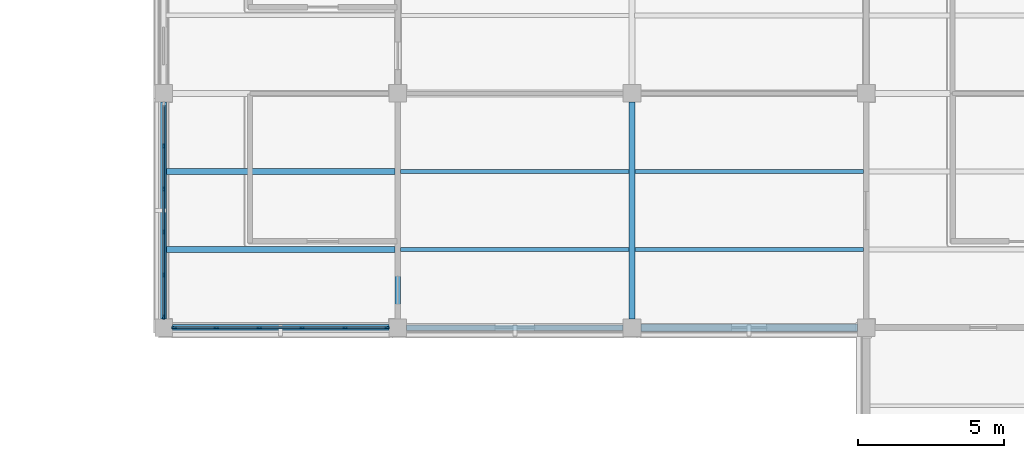
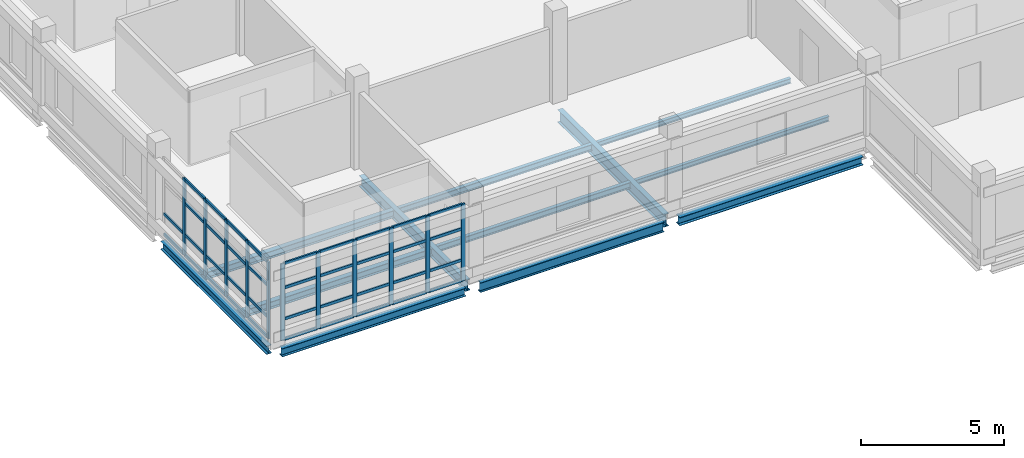
# One storey, part 45 of 126: 49 members, 12 beams, 2 elements without a shape of their own.
"""IFC4 building model written with IfcOpenShell, lengths in metres."""

from ifc_helpers import new_model, si_unit, derived_unit, direction, frame, origin, origin_2d, place, context, subcontext, project, spatial, rectangle, i_section, extrude, material, layer, layer_set, material_profile, profile_set, type_object, element, aggregate, save


model = new_model("IFC4")

# Units and contexts
model_context = context("Model", 3, precision=1e-05, world=origin(), true_north=direction((0.0, 1.0)))
body_context = subcontext(model_context, "Body", "Model", "MODEL_VIEW")
ifc_project = project(units=[si_unit("LENGTHUNIT", "METRE"), si_unit("AREAUNIT", "SQUARE_METRE"), si_unit("VOLUMEUNIT", "CUBIC_METRE"), si_unit("PLANEANGLEUNIT", "RADIAN"), si_unit("MASSUNIT", "GRAM", prefix="KILO"), derived_unit("THERMALTRANSMITTANCEUNIT", [(si_unit("MASSUNIT", "GRAM", prefix="KILO"), 1), (si_unit("TIMEUNIT", "SECOND"), -3), (si_unit("THERMODYNAMICTEMPERATUREUNIT", "KELVIN"), -1)])], contexts=[model_context])

# Site, building, storey
site_placement = place(None, origin())
site = spatial("IfcSite", under=ifc_project, at=site_placement, CompositionType="ELEMENT")
building_placement = place(site_placement, origin())
building = spatial("IfcBuilding", under=site, at=building_placement, Name="Veyamyaing Civic Hall", CompositionType="ELEMENT")
storey_placement = place(building_placement, frame((0.0, 0.0, 9.89990234375)))
storey = spatial("IfcBuildingStorey", under=building, at=storey_placement, Name="L02", CompositionType="ELEMENT", Elevation=9.89990234375)

# Beams
ifc_material_1 = material(Name="Steel ASTM A992", Category="steel")
ifc_material_profile_1 = material_profile(ifc_material_1, i_section(OverallWidth=0.208984375, OverallDepth=0.532958984375, WebThickness=0.01025390625, FlangeThickness=0.015625, FilletRadius=0.011962890625, at=origin_2d()), Name="W530X92")
ifc_profile_set_1 = profile_set([ifc_material_profile_1], Name="Steel ASTM A992")
beam_type_1 = type_object("IfcBeamType", Name="B-07", PredefinedType="BEAM", material=ifc_profile_set_1)
beam_1_placement = place(storey_placement, frame((152.0, 8.300048828125, -0.551513671875), z_axis=(0.0, 1.0, 0.0), x_axis=(-1.0, 0.0, 0.0)))
element("IfcBeam", 1, at=beam_1_placement, inside=storey, type_object=beam_type_1, Name="Girder B-07 L02 Grid 20 B-C", PredefinedType="BEAM", context=body_context, shape_type="SweptSolid", body=[
    extrude(i_section(OverallWidth=0.208984375, OverallDepth=0.532958984375, WebThickness=0.01025390625, FlangeThickness=0.015625, FilletRadius=0.011962890625, at=origin_2d()), origin(), (0.0, 0.0, 1.0), 7.39990234375),
])
ifc_material_profile_2 = material_profile(ifc_material_1, i_section(OverallWidth=0.2041015625, OverallDepth=0.35009765625, WebThickness=0.0078125, FlangeThickness=0.01513671875, FilletRadius=0.010009765625, at=origin_2d()), Name="W360X72")
ifc_profile_set_2 = profile_set([ifc_material_profile_2], Name="Steel ASTM A992")
beam_type_2 = type_object("IfcBeamType", Name="B-11", PredefinedType="SPANDREL", material=ifc_profile_set_2)
for number, where, z_axis, x_axis, name in (
    (2, (136.300048828125, 8.0, -0.4599609375), (1.0, 0.0, 0.0), (0.0, 1.0, 0.0), "Girder B-11 L02 Grid B 18-19"),
    (3, (136.0, 8.300048828125, -0.4599609375), (0.0, 1.0, 0.0), (-1.0, 0.0, 0.0), "Girder B-11 L02 Grid 18 B-C"),
):
    element("IfcBeam", number, at=place(storey_placement, frame(where, z_axis=z_axis, x_axis=x_axis)), inside=storey, type_object=beam_type_2, Name=name, PredefinedType="SPANDREL", context=body_context, shape_type="SweptSolid", body=[
        extrude(i_section(OverallWidth=0.2041015625, OverallDepth=0.35009765625, WebThickness=0.0078125, FlangeThickness=0.01513671875, FilletRadius=0.010009765625, at=origin_2d()), origin(), (0.0, 0.0, 1.0), 7.39990234375),
    ])
ifc_material_profile_3 = material_profile(ifc_material_1, i_section(OverallWidth=0.194091796875, OverallDepth=0.468994140625, WebThickness=0.0126953125, FlangeThickness=0.0205078125, FilletRadius=0.010009765625, at=origin_2d()), Name="W460X106")
ifc_profile_set_3 = profile_set([ifc_material_profile_3], Name="Steel ASTM A992")
beam_type_3 = type_object("IfcBeamType", Name="B-18", PredefinedType="BEAM", material=ifc_profile_set_3)
beam_2_placement = place(storey_placement, frame((144.0, 8.300048828125, -0.519287109375), z_axis=(0.0, 1.0, 0.0), x_axis=(-1.0, 0.0, 0.0)))
element("IfcBeam", 4, at=beam_2_placement, inside=storey, type_object=beam_type_3, Name="Girder B-18 L02 Grid 19 B-C", PredefinedType="BEAM", context=body_context, shape_type="SweptSolid", body=[
    extrude(i_section(OverallWidth=0.194091796875, OverallDepth=0.468994140625, WebThickness=0.0126953125, FlangeThickness=0.0205078125, FilletRadius=0.010009765625, at=origin_2d()), origin(), (0.0, 0.0, 1.0), 7.39990234375),
])
ifc_material_profile_4 = material_profile(ifc_material_1, i_section(OverallWidth=0.180908203125, OverallDepth=0.4169921875, WebThickness=0.010986328125, FlangeThickness=0.018310546875, FilletRadius=0.010009765625, at=origin_2d()), Name="W410X85")
ifc_profile_set_4 = profile_set([ifc_material_profile_4], Name="Steel ASTM A992")
beam_type_4 = type_object("IfcBeamType", Name="B-19", PredefinedType="SPANDREL", material=ifc_profile_set_4)
beam_3_placement = place(storey_placement, frame((144.300048828125, 8.0, -0.493408203125), z_axis=(1.0, 0.0, 0.0), x_axis=(0.0, 1.0, 0.0)))
element("IfcBeam", 5, at=beam_3_placement, inside=storey, type_object=beam_type_4, Name="Girder B-19 L02 Grid B 19-20", PredefinedType="SPANDREL", context=body_context, shape_type="SweptSolid", body=[
    extrude(i_section(OverallWidth=0.180908203125, OverallDepth=0.4169921875, WebThickness=0.010986328125, FlangeThickness=0.018310546875, FilletRadius=0.010009765625, at=origin_2d()), origin(), (0.0, 0.0, 1.0), 7.39990234375),
])
ifc_material_profile_5 = material_profile(ifc_material_1, i_section(OverallWidth=0.25390625, OverallDepth=0.35302734375, WebThickness=0.009521484375, FlangeThickness=0.016357421875, FilletRadius=0.011962890625, at=origin_2d()), Name="W360X91")
ifc_profile_set_5 = profile_set([ifc_material_profile_5], Name="Steel ASTM A992")
beam_type_5 = type_object("IfcBeamType", Name="B-20", PredefinedType="SPANDREL", material=ifc_profile_set_5)
beam_4_placement = place(storey_placement, frame((152.300048828125, 8.0, -0.46142578125), z_axis=(1.0, 0.0, 0.0), x_axis=(0.0, 1.0, 0.0)))
element("IfcBeam", 6, at=beam_4_placement, inside=storey, type_object=beam_type_5, Name="Girder B-20 L02 Grid B 20-21", PredefinedType="SPANDREL", context=body_context, shape_type="SweptSolid", body=[
    extrude(i_section(OverallWidth=0.25390625, OverallDepth=0.35302734375, WebThickness=0.009521484375, FlangeThickness=0.016357421875, FilletRadius=0.011962890625, at=origin_2d()), origin(), (0.0, 0.0, 1.0), 7.39990234375),
])

# Curtain wall, members
ifc_material_2 = material(Name="Anodised aluminium 6063-T6", Category="aluminium")
ifc_layer = layer(ifc_material_2, 0.159912109375, Name="Anodised aluminium 6063-T6")
ifc_layer_set = layer_set([ifc_layer], Name="Anodised aluminium 6063-T6")
curtain_wall_type = type_object("IfcCurtainWallType", Name="CW-03", PredefinedType="NOTDEFINED", material=ifc_layer_set)
curtain_wall_1_placement = place(storey_placement, origin())
curtain_wall_1 = element("IfcCurtainWall", 7, at=curtain_wall_1_placement, inside=storey, type_object=curtain_wall_type, Name="Unitized curtain wall CW-03 L02 S 18.2", PredefinedType="NOTDEFINED")
ifc_material_profile_6 = material_profile(ifc_material_2, rectangle(XDim=0.06494140625, YDim=0.159912109375, at=origin_2d()), Name="ALU-MUL-65X160")
ifc_profile_set_6 = profile_set([ifc_material_profile_6], Name="Anodised aluminium 6063-T6")
member_type_1 = type_object("IfcMemberType", Name="CWM-01", PredefinedType="MULLION", material=ifc_profile_set_6)
member_1_placement = place(storey_placement, frame((136.362548828125, 8.0, 0.0), z_axis=(0.0, 0.0, 1.0), x_axis=(0.0, 1.0, 0.0)))
member_1 = element("IfcMember", 8, at=member_1_placement, type_object=member_type_1, Name="CW-03 mullion 1", PredefinedType="MULLION", context=body_context, shape_type="SweptSolid", body=[
    extrude(rectangle(XDim=0.06494140625, YDim=0.159912109375, at=origin_2d()), origin(), (0.0, 0.0, 1.0), 3.280029296875),
])
member_2_placement = place(storey_placement, frame((137.798095703125, 8.0, 0.0), z_axis=(0.0, 0.0, 1.0), x_axis=(0.0, 1.0, 0.0)))
member_2 = element("IfcMember", 9, at=member_2_placement, type_object=member_type_1, Name="CW-03 mullion 2", PredefinedType="MULLION", context=body_context, shape_type="SweptSolid", body=[
    extrude(rectangle(XDim=0.06494140625, YDim=0.159912109375, at=origin_2d()), origin(), (0.0, 0.0, 1.0), 3.280029296875),
])
member_3_placement = place(storey_placement, frame((139.26611328125, 8.0, 0.0), z_axis=(0.0, 0.0, 1.0), x_axis=(0.0, 1.0, 0.0)))
member_3 = element("IfcMember", 10, at=member_3_placement, type_object=member_type_1, Name="CW-03 mullion 3", PredefinedType="MULLION", context=body_context, shape_type="SweptSolid", body=[
    extrude(rectangle(XDim=0.06494140625, YDim=0.159912109375, at=origin_2d()), origin(), (0.0, 0.0, 1.0), 3.280029296875),
])
member_4_placement = place(storey_placement, frame((140.73388671875, 8.0, 0.0), z_axis=(0.0, 0.0, 1.0), x_axis=(0.0, 1.0, 0.0)))
member_4 = element("IfcMember", 11, at=member_4_placement, type_object=member_type_1, Name="CW-03 mullion 4", PredefinedType="MULLION", context=body_context, shape_type="SweptSolid", body=[
    extrude(rectangle(XDim=0.06494140625, YDim=0.159912109375, at=origin_2d()), origin(), (0.0, 0.0, 1.0), 3.280029296875),
])
member_5_placement = place(storey_placement, frame((142.201904296875, 8.0, 0.0), z_axis=(0.0, 0.0, 1.0), x_axis=(0.0, 1.0, 0.0)))
member_5 = element("IfcMember", 12, at=member_5_placement, type_object=member_type_1, Name="CW-03 mullion 5", PredefinedType="MULLION", context=body_context, shape_type="SweptSolid", body=[
    extrude(rectangle(XDim=0.06494140625, YDim=0.159912109375, at=origin_2d()), origin(), (0.0, 0.0, 1.0), 3.280029296875),
])
member_6_placement = place(storey_placement, frame((143.637451171875, 8.0, 0.0), z_axis=(0.0, 0.0, 1.0), x_axis=(0.0, 1.0, 0.0)))
member_6 = element("IfcMember", 13, at=member_6_placement, type_object=member_type_1, Name="CW-03 mullion 6", PredefinedType="MULLION", context=body_context, shape_type="SweptSolid", body=[
    extrude(rectangle(XDim=0.06494140625, YDim=0.159912109375, at=origin_2d()), origin(), (0.0, 0.0, 1.0), 3.280029296875),
])

curtain_wall_2_placement = place(storey_placement, origin())
curtain_wall_2 = element("IfcCurtainWall", 14, at=curtain_wall_2_placement, inside=storey, type_object=curtain_wall_type, Name="Unitized curtain wall CW-03 L02 W 18.2", PredefinedType="NOTDEFINED")
member_7_placement = place(storey_placement, frame((136.0, 8.362548828125, 0.0), z_axis=(0.0, 0.0, 1.0), x_axis=(-1.0, 0.0, 0.0)))
member_7 = element("IfcMember", 15, at=member_7_placement, type_object=member_type_1, Name="CW-03 mullion 1", PredefinedType="MULLION", context=body_context, shape_type="SweptSolid", body=[
    extrude(rectangle(XDim=0.06494140625, YDim=0.159912109375, at=origin_2d()), origin(), (0.0, 0.0, 1.0), 3.280029296875),
])
member_8_placement = place(storey_placement, frame((136.0, 9.798095703125, 0.0), z_axis=(0.0, 0.0, 1.0), x_axis=(-1.0, 0.0, 0.0)))
member_8 = element("IfcMember", 16, at=member_8_placement, type_object=member_type_1, Name="CW-03 mullion 2", PredefinedType="MULLION", context=body_context, shape_type="SweptSolid", body=[
    extrude(rectangle(XDim=0.06494140625, YDim=0.159912109375, at=origin_2d()), origin(), (0.0, 0.0, 1.0), 3.280029296875),
])
member_9_placement = place(storey_placement, frame((136.0, 11.26611328125, 0.0), z_axis=(0.0, 0.0, 1.0), x_axis=(-1.0, 0.0, 0.0)))
member_9 = element("IfcMember", 17, at=member_9_placement, type_object=member_type_1, Name="CW-03 mullion 3", PredefinedType="MULLION", context=body_context, shape_type="SweptSolid", body=[
    extrude(rectangle(XDim=0.06494140625, YDim=0.159912109375, at=origin_2d()), origin(), (0.0, 0.0, 1.0), 3.280029296875),
])
member_10_placement = place(storey_placement, frame((136.0, 12.73388671875, 0.0), z_axis=(0.0, 0.0, 1.0), x_axis=(-1.0, 0.0, 0.0)))
member_10 = element("IfcMember", 18, at=member_10_placement, type_object=member_type_1, Name="CW-03 mullion 4", PredefinedType="MULLION", context=body_context, shape_type="SweptSolid", body=[
    extrude(rectangle(XDim=0.06494140625, YDim=0.159912109375, at=origin_2d()), origin(), (0.0, 0.0, 1.0), 3.280029296875),
])
member_11_placement = place(storey_placement, frame((136.0, 14.201904296875, 0.0), z_axis=(0.0, 0.0, 1.0), x_axis=(-1.0, 0.0, 0.0)))
member_11 = element("IfcMember", 19, at=member_11_placement, type_object=member_type_1, Name="CW-03 mullion 5", PredefinedType="MULLION", context=body_context, shape_type="SweptSolid", body=[
    extrude(rectangle(XDim=0.06494140625, YDim=0.159912109375, at=origin_2d()), origin(), (0.0, 0.0, 1.0), 3.280029296875),
])

# Member
ifc_material_profile_7 = material_profile(ifc_material_2, rectangle(XDim=0.06494140625, YDim=0.1201171875, at=origin_2d()), Name="ALU-TRN-65X120")
ifc_profile_set_7 = profile_set([ifc_material_profile_7], Name="Anodised aluminium 6063-T6")
member_type_2 = type_object("IfcMemberType", Name="CWT-01", PredefinedType="USERDEFINED", material=ifc_profile_set_7)
member_12_placement = place(storey_placement, frame((136.39501953125, 8.0, 0.03271484375), z_axis=(1.0, 0.0, 0.0), x_axis=(0.0, 1.0, 0.0)))
member_12 = element("IfcMember", 20, at=member_12_placement, type_object=member_type_2, Name="CW-03 transom 1.1", ObjectType="TRANSOM", PredefinedType="USERDEFINED", context=body_context, shape_type="SweptSolid", body=[
    extrude(rectangle(XDim=0.06494140625, YDim=0.1201171875, at=origin_2d()), origin(), (0.0, 0.0, 1.0), 1.370361328125),
])

member_13_placement = place(storey_placement, frame((136.39501953125, 8.0, 0.900146484375), z_axis=(1.0, 0.0, 0.0), x_axis=(0.0, 1.0, 0.0)))
member_13 = element("IfcMember", 21, at=member_13_placement, type_object=member_type_2, Name="CW-03 transom 1.2", ObjectType="TRANSOM", PredefinedType="USERDEFINED", context=body_context, shape_type="SweptSolid", body=[
    extrude(rectangle(XDim=0.06494140625, YDim=0.1201171875, at=origin_2d()), origin(), (0.0, 0.0, 1.0), 1.370361328125),
])

member_14_placement = place(storey_placement, frame((136.39501953125, 8.0, 2.23046875), z_axis=(1.0, 0.0, 0.0), x_axis=(0.0, 1.0, 0.0)))
member_14 = element("IfcMember", 22, at=member_14_placement, type_object=member_type_2, Name="CW-03 transom 1.3", ObjectType="TRANSOM", PredefinedType="USERDEFINED", context=body_context, shape_type="SweptSolid", body=[
    extrude(rectangle(XDim=0.06494140625, YDim=0.1201171875, at=origin_2d()), origin(), (0.0, 0.0, 1.0), 1.370361328125),
])

member_15_placement = place(storey_placement, frame((136.39501953125, 8.0, 3.24755859375), z_axis=(1.0, 0.0, 0.0), x_axis=(0.0, 1.0, 0.0)))
member_15 = element("IfcMember", 23, at=member_15_placement, type_object=member_type_2, Name="CW-03 transom 1.4", ObjectType="TRANSOM", PredefinedType="USERDEFINED", context=body_context, shape_type="SweptSolid", body=[
    extrude(rectangle(XDim=0.06494140625, YDim=0.1201171875, at=origin_2d()), origin(), (0.0, 0.0, 1.0), 1.370361328125),
])

member_16_placement = place(storey_placement, frame((137.83056640625, 8.0, 0.03271484375), z_axis=(1.0, 0.0, 0.0), x_axis=(0.0, 1.0, 0.0)))
member_16 = element("IfcMember", 24, at=member_16_placement, type_object=member_type_2, Name="CW-03 transom 2.1", ObjectType="TRANSOM", PredefinedType="USERDEFINED", context=body_context, shape_type="SweptSolid", body=[
    extrude(rectangle(XDim=0.06494140625, YDim=0.1201171875, at=origin_2d()), origin(), (0.0, 0.0, 1.0), 1.40283203125),
])

member_17_placement = place(storey_placement, frame((137.83056640625, 8.0, 0.900146484375), z_axis=(1.0, 0.0, 0.0), x_axis=(0.0, 1.0, 0.0)))
member_17 = element("IfcMember", 25, at=member_17_placement, type_object=member_type_2, Name="CW-03 transom 2.2", ObjectType="TRANSOM", PredefinedType="USERDEFINED", context=body_context, shape_type="SweptSolid", body=[
    extrude(rectangle(XDim=0.06494140625, YDim=0.1201171875, at=origin_2d()), origin(), (0.0, 0.0, 1.0), 1.40283203125),
])

member_18_placement = place(storey_placement, frame((137.83056640625, 8.0, 2.23046875), z_axis=(1.0, 0.0, 0.0), x_axis=(0.0, 1.0, 0.0)))
member_18 = element("IfcMember", 26, at=member_18_placement, type_object=member_type_2, Name="CW-03 transom 2.3", ObjectType="TRANSOM", PredefinedType="USERDEFINED", context=body_context, shape_type="SweptSolid", body=[
    extrude(rectangle(XDim=0.06494140625, YDim=0.1201171875, at=origin_2d()), origin(), (0.0, 0.0, 1.0), 1.40283203125),
])

member_19_placement = place(storey_placement, frame((137.83056640625, 8.0, 3.24755859375), z_axis=(1.0, 0.0, 0.0), x_axis=(0.0, 1.0, 0.0)))
member_19 = element("IfcMember", 27, at=member_19_placement, type_object=member_type_2, Name="CW-03 transom 2.4", ObjectType="TRANSOM", PredefinedType="USERDEFINED", context=body_context, shape_type="SweptSolid", body=[
    extrude(rectangle(XDim=0.06494140625, YDim=0.1201171875, at=origin_2d()), origin(), (0.0, 0.0, 1.0), 1.40283203125),
])

member_20_placement = place(storey_placement, frame((139.298583984375, 8.0, 0.03271484375), z_axis=(1.0, 0.0, 0.0), x_axis=(0.0, 1.0, 0.0)))
member_20 = element("IfcMember", 28, at=member_20_placement, type_object=member_type_2, Name="CW-03 transom 3.1", ObjectType="TRANSOM", PredefinedType="USERDEFINED", context=body_context, shape_type="SweptSolid", body=[
    extrude(rectangle(XDim=0.06494140625, YDim=0.1201171875, at=origin_2d()), origin(), (0.0, 0.0, 1.0), 1.40283203125),
])

member_21_placement = place(storey_placement, frame((139.298583984375, 8.0, 0.900146484375), z_axis=(1.0, 0.0, 0.0), x_axis=(0.0, 1.0, 0.0)))
member_21 = element("IfcMember", 29, at=member_21_placement, type_object=member_type_2, Name="CW-03 transom 3.2", ObjectType="TRANSOM", PredefinedType="USERDEFINED", context=body_context, shape_type="SweptSolid", body=[
    extrude(rectangle(XDim=0.06494140625, YDim=0.1201171875, at=origin_2d()), origin(), (0.0, 0.0, 1.0), 1.40283203125),
])

member_22_placement = place(storey_placement, frame((139.298583984375, 8.0, 2.23046875), z_axis=(1.0, 0.0, 0.0), x_axis=(0.0, 1.0, 0.0)))
member_22 = element("IfcMember", 30, at=member_22_placement, type_object=member_type_2, Name="CW-03 transom 3.3", ObjectType="TRANSOM", PredefinedType="USERDEFINED", context=body_context, shape_type="SweptSolid", body=[
    extrude(rectangle(XDim=0.06494140625, YDim=0.1201171875, at=origin_2d()), origin(), (0.0, 0.0, 1.0), 1.40283203125),
])

member_23_placement = place(storey_placement, frame((139.298583984375, 8.0, 3.24755859375), z_axis=(1.0, 0.0, 0.0), x_axis=(0.0, 1.0, 0.0)))
member_23 = element("IfcMember", 31, at=member_23_placement, type_object=member_type_2, Name="CW-03 transom 3.4", ObjectType="TRANSOM", PredefinedType="USERDEFINED", context=body_context, shape_type="SweptSolid", body=[
    extrude(rectangle(XDim=0.06494140625, YDim=0.1201171875, at=origin_2d()), origin(), (0.0, 0.0, 1.0), 1.40283203125),
])

member_24_placement = place(storey_placement, frame((140.7666015625, 8.0, 0.03271484375), z_axis=(1.0, 0.0, 0.0), x_axis=(0.0, 1.0, 0.0)))
member_24 = element("IfcMember", 32, at=member_24_placement, type_object=member_type_2, Name="CW-03 transom 4.1", ObjectType="TRANSOM", PredefinedType="USERDEFINED", context=body_context, shape_type="SweptSolid", body=[
    extrude(rectangle(XDim=0.06494140625, YDim=0.1201171875, at=origin_2d()), origin(), (0.0, 0.0, 1.0), 1.40283203125),
])

member_25_placement = place(storey_placement, frame((140.7666015625, 8.0, 0.900146484375), z_axis=(1.0, 0.0, 0.0), x_axis=(0.0, 1.0, 0.0)))
member_25 = element("IfcMember", 33, at=member_25_placement, type_object=member_type_2, Name="CW-03 transom 4.2", ObjectType="TRANSOM", PredefinedType="USERDEFINED", context=body_context, shape_type="SweptSolid", body=[
    extrude(rectangle(XDim=0.06494140625, YDim=0.1201171875, at=origin_2d()), origin(), (0.0, 0.0, 1.0), 1.40283203125),
])

member_26_placement = place(storey_placement, frame((140.7666015625, 8.0, 2.23046875), z_axis=(1.0, 0.0, 0.0), x_axis=(0.0, 1.0, 0.0)))
member_26 = element("IfcMember", 34, at=member_26_placement, type_object=member_type_2, Name="CW-03 transom 4.3", ObjectType="TRANSOM", PredefinedType="USERDEFINED", context=body_context, shape_type="SweptSolid", body=[
    extrude(rectangle(XDim=0.06494140625, YDim=0.1201171875, at=origin_2d()), origin(), (0.0, 0.0, 1.0), 1.40283203125),
])

member_27_placement = place(storey_placement, frame((140.7666015625, 8.0, 3.24755859375), z_axis=(1.0, 0.0, 0.0), x_axis=(0.0, 1.0, 0.0)))
member_27 = element("IfcMember", 35, at=member_27_placement, type_object=member_type_2, Name="CW-03 transom 4.4", ObjectType="TRANSOM", PredefinedType="USERDEFINED", context=body_context, shape_type="SweptSolid", body=[
    extrude(rectangle(XDim=0.06494140625, YDim=0.1201171875, at=origin_2d()), origin(), (0.0, 0.0, 1.0), 1.40283203125),
])

member_28_placement = place(storey_placement, frame((142.234619140625, 8.0, 0.03271484375), z_axis=(1.0, 0.0, 0.0), x_axis=(0.0, 1.0, 0.0)))
member_28 = element("IfcMember", 36, at=member_28_placement, type_object=member_type_2, Name="CW-03 transom 5.1", ObjectType="TRANSOM", PredefinedType="USERDEFINED", context=body_context, shape_type="SweptSolid", body=[
    extrude(rectangle(XDim=0.06494140625, YDim=0.1201171875, at=origin_2d()), origin(), (0.0, 0.0, 1.0), 1.370361328125),
])

member_29_placement = place(storey_placement, frame((142.234619140625, 8.0, 0.900146484375), z_axis=(1.0, 0.0, 0.0), x_axis=(0.0, 1.0, 0.0)))
member_29 = element("IfcMember", 37, at=member_29_placement, type_object=member_type_2, Name="CW-03 transom 5.2", ObjectType="TRANSOM", PredefinedType="USERDEFINED", context=body_context, shape_type="SweptSolid", body=[
    extrude(rectangle(XDim=0.06494140625, YDim=0.1201171875, at=origin_2d()), origin(), (0.0, 0.0, 1.0), 1.370361328125),
])

member_30_placement = place(storey_placement, frame((142.234619140625, 8.0, 2.23046875), z_axis=(1.0, 0.0, 0.0), x_axis=(0.0, 1.0, 0.0)))
member_30 = element("IfcMember", 38, at=member_30_placement, type_object=member_type_2, Name="CW-03 transom 5.3", ObjectType="TRANSOM", PredefinedType="USERDEFINED", context=body_context, shape_type="SweptSolid", body=[
    extrude(rectangle(XDim=0.06494140625, YDim=0.1201171875, at=origin_2d()), origin(), (0.0, 0.0, 1.0), 1.370361328125),
])

member_31_placement = place(storey_placement, frame((142.234619140625, 8.0, 3.24755859375), z_axis=(1.0, 0.0, 0.0), x_axis=(0.0, 1.0, 0.0)))
member_31 = element("IfcMember", 39, at=member_31_placement, type_object=member_type_2, Name="CW-03 transom 5.4", ObjectType="TRANSOM", PredefinedType="USERDEFINED", context=body_context, shape_type="SweptSolid", body=[
    extrude(rectangle(XDim=0.06494140625, YDim=0.1201171875, at=origin_2d()), origin(), (0.0, 0.0, 1.0), 1.370361328125),
])

aggregate(curtain_wall_1, [member_1, member_2, member_3, member_4, member_5, member_6, member_12, member_13, member_14, member_15, member_16, member_17, member_18, member_19, member_20, member_21, member_22, member_23, member_24, member_25, member_26, member_27, member_28, member_29, member_30, member_31])

member_32_placement = place(storey_placement, frame((136.0, 8.39501953125, 0.03271484375), z_axis=(0.0, 1.0, 0.0), x_axis=(-1.0, 0.0, 0.0)))
member_32 = element("IfcMember", 40, at=member_32_placement, type_object=member_type_2, Name="CW-03 transom 1.1", ObjectType="TRANSOM", PredefinedType="USERDEFINED", context=body_context, shape_type="SweptSolid", body=[
    extrude(rectangle(XDim=0.06494140625, YDim=0.1201171875, at=origin_2d()), origin(), (0.0, 0.0, 1.0), 1.370361328125),
])

member_33_placement = place(storey_placement, frame((136.0, 8.39501953125, 0.900146484375), z_axis=(0.0, 1.0, 0.0), x_axis=(-1.0, 0.0, 0.0)))
member_33 = element("IfcMember", 41, at=member_33_placement, type_object=member_type_2, Name="CW-03 transom 1.2", ObjectType="TRANSOM", PredefinedType="USERDEFINED", context=body_context, shape_type="SweptSolid", body=[
    extrude(rectangle(XDim=0.06494140625, YDim=0.1201171875, at=origin_2d()), origin(), (0.0, 0.0, 1.0), 1.370361328125),
])

member_34_placement = place(storey_placement, frame((136.0, 8.39501953125, 2.23046875), z_axis=(0.0, 1.0, 0.0), x_axis=(-1.0, 0.0, 0.0)))
member_34 = element("IfcMember", 42, at=member_34_placement, type_object=member_type_2, Name="CW-03 transom 1.3", ObjectType="TRANSOM", PredefinedType="USERDEFINED", context=body_context, shape_type="SweptSolid", body=[
    extrude(rectangle(XDim=0.06494140625, YDim=0.1201171875, at=origin_2d()), origin(), (0.0, 0.0, 1.0), 1.370361328125),
])

member_35_placement = place(storey_placement, frame((136.0, 8.39501953125, 3.24755859375), z_axis=(0.0, 1.0, 0.0), x_axis=(-1.0, 0.0, 0.0)))
member_35 = element("IfcMember", 43, at=member_35_placement, type_object=member_type_2, Name="CW-03 transom 1.4", ObjectType="TRANSOM", PredefinedType="USERDEFINED", context=body_context, shape_type="SweptSolid", body=[
    extrude(rectangle(XDim=0.06494140625, YDim=0.1201171875, at=origin_2d()), origin(), (0.0, 0.0, 1.0), 1.370361328125),
])

member_36_placement = place(storey_placement, frame((136.0, 9.83056640625, 0.03271484375), z_axis=(0.0, 1.0, 0.0), x_axis=(-1.0, 0.0, 0.0)))
member_36 = element("IfcMember", 44, at=member_36_placement, type_object=member_type_2, Name="CW-03 transom 2.1", ObjectType="TRANSOM", PredefinedType="USERDEFINED", context=body_context, shape_type="SweptSolid", body=[
    extrude(rectangle(XDim=0.06494140625, YDim=0.1201171875, at=origin_2d()), origin(), (0.0, 0.0, 1.0), 1.40283203125),
])

member_37_placement = place(storey_placement, frame((136.0, 9.83056640625, 0.900146484375), z_axis=(0.0, 1.0, 0.0), x_axis=(-1.0, 0.0, 0.0)))
member_37 = element("IfcMember", 45, at=member_37_placement, type_object=member_type_2, Name="CW-03 transom 2.2", ObjectType="TRANSOM", PredefinedType="USERDEFINED", context=body_context, shape_type="SweptSolid", body=[
    extrude(rectangle(XDim=0.06494140625, YDim=0.1201171875, at=origin_2d()), origin(), (0.0, 0.0, 1.0), 1.40283203125),
])

member_38_placement = place(storey_placement, frame((136.0, 9.83056640625, 2.23046875), z_axis=(0.0, 1.0, 0.0), x_axis=(-1.0, 0.0, 0.0)))
member_38 = element("IfcMember", 46, at=member_38_placement, type_object=member_type_2, Name="CW-03 transom 2.3", ObjectType="TRANSOM", PredefinedType="USERDEFINED", context=body_context, shape_type="SweptSolid", body=[
    extrude(rectangle(XDim=0.06494140625, YDim=0.1201171875, at=origin_2d()), origin(), (0.0, 0.0, 1.0), 1.40283203125),
])

member_39_placement = place(storey_placement, frame((136.0, 9.83056640625, 3.24755859375), z_axis=(0.0, 1.0, 0.0), x_axis=(-1.0, 0.0, 0.0)))
member_39 = element("IfcMember", 47, at=member_39_placement, type_object=member_type_2, Name="CW-03 transom 2.4", ObjectType="TRANSOM", PredefinedType="USERDEFINED", context=body_context, shape_type="SweptSolid", body=[
    extrude(rectangle(XDim=0.06494140625, YDim=0.1201171875, at=origin_2d()), origin(), (0.0, 0.0, 1.0), 1.40283203125),
])

member_40_placement = place(storey_placement, frame((136.0, 11.298583984375, 0.03271484375), z_axis=(0.0, 1.0, 0.0), x_axis=(-1.0, 0.0, 0.0)))
member_40 = element("IfcMember", 48, at=member_40_placement, type_object=member_type_2, Name="CW-03 transom 3.1", ObjectType="TRANSOM", PredefinedType="USERDEFINED", context=body_context, shape_type="SweptSolid", body=[
    extrude(rectangle(XDim=0.06494140625, YDim=0.1201171875, at=origin_2d()), origin(), (0.0, 0.0, 1.0), 1.40283203125),
])

member_41_placement = place(storey_placement, frame((136.0, 11.298583984375, 0.900146484375), z_axis=(0.0, 1.0, 0.0), x_axis=(-1.0, 0.0, 0.0)))
member_41 = element("IfcMember", 49, at=member_41_placement, type_object=member_type_2, Name="CW-03 transom 3.2", ObjectType="TRANSOM", PredefinedType="USERDEFINED", context=body_context, shape_type="SweptSolid", body=[
    extrude(rectangle(XDim=0.06494140625, YDim=0.1201171875, at=origin_2d()), origin(), (0.0, 0.0, 1.0), 1.40283203125),
])

member_42_placement = place(storey_placement, frame((136.0, 11.298583984375, 2.23046875), z_axis=(0.0, 1.0, 0.0), x_axis=(-1.0, 0.0, 0.0)))
member_42 = element("IfcMember", 50, at=member_42_placement, type_object=member_type_2, Name="CW-03 transom 3.3", ObjectType="TRANSOM", PredefinedType="USERDEFINED", context=body_context, shape_type="SweptSolid", body=[
    extrude(rectangle(XDim=0.06494140625, YDim=0.1201171875, at=origin_2d()), origin(), (0.0, 0.0, 1.0), 1.40283203125),
])

member_43_placement = place(storey_placement, frame((136.0, 11.298583984375, 3.24755859375), z_axis=(0.0, 1.0, 0.0), x_axis=(-1.0, 0.0, 0.0)))
member_43 = element("IfcMember", 51, at=member_43_placement, type_object=member_type_2, Name="CW-03 transom 3.4", ObjectType="TRANSOM", PredefinedType="USERDEFINED", context=body_context, shape_type="SweptSolid", body=[
    extrude(rectangle(XDim=0.06494140625, YDim=0.1201171875, at=origin_2d()), origin(), (0.0, 0.0, 1.0), 1.40283203125),
])

member_44_placement = place(storey_placement, frame((136.0, 12.7666015625, 0.03271484375), z_axis=(0.0, 1.0, 0.0), x_axis=(-1.0, 0.0, 0.0)))
member_44 = element("IfcMember", 52, at=member_44_placement, type_object=member_type_2, Name="CW-03 transom 4.1", ObjectType="TRANSOM", PredefinedType="USERDEFINED", context=body_context, shape_type="SweptSolid", body=[
    extrude(rectangle(XDim=0.06494140625, YDim=0.1201171875, at=origin_2d()), origin(), (0.0, 0.0, 1.0), 1.40283203125),
])

member_45_placement = place(storey_placement, frame((136.0, 12.7666015625, 0.900146484375), z_axis=(0.0, 1.0, 0.0), x_axis=(-1.0, 0.0, 0.0)))
member_45 = element("IfcMember", 53, at=member_45_placement, type_object=member_type_2, Name="CW-03 transom 4.2", ObjectType="TRANSOM", PredefinedType="USERDEFINED", context=body_context, shape_type="SweptSolid", body=[
    extrude(rectangle(XDim=0.06494140625, YDim=0.1201171875, at=origin_2d()), origin(), (0.0, 0.0, 1.0), 1.40283203125),
])

member_46_placement = place(storey_placement, frame((136.0, 12.7666015625, 2.23046875), z_axis=(0.0, 1.0, 0.0), x_axis=(-1.0, 0.0, 0.0)))
member_46 = element("IfcMember", 54, at=member_46_placement, type_object=member_type_2, Name="CW-03 transom 4.3", ObjectType="TRANSOM", PredefinedType="USERDEFINED", context=body_context, shape_type="SweptSolid", body=[
    extrude(rectangle(XDim=0.06494140625, YDim=0.1201171875, at=origin_2d()), origin(), (0.0, 0.0, 1.0), 1.40283203125),
])

member_47_placement = place(storey_placement, frame((136.0, 12.7666015625, 3.24755859375), z_axis=(0.0, 1.0, 0.0), x_axis=(-1.0, 0.0, 0.0)))
member_47 = element("IfcMember", 55, at=member_47_placement, type_object=member_type_2, Name="CW-03 transom 4.4", ObjectType="TRANSOM", PredefinedType="USERDEFINED", context=body_context, shape_type="SweptSolid", body=[
    extrude(rectangle(XDim=0.06494140625, YDim=0.1201171875, at=origin_2d()), origin(), (0.0, 0.0, 1.0), 1.40283203125),
])

member_48_placement = place(storey_placement, frame((136.0, 14.234619140625, 0.03271484375), z_axis=(0.0, 1.0, 0.0), x_axis=(-1.0, 0.0, 0.0)))
member_48 = element("IfcMember", 56, at=member_48_placement, type_object=member_type_2, Name="CW-03 transom 5.1", ObjectType="TRANSOM", PredefinedType="USERDEFINED", context=body_context, shape_type="SweptSolid", body=[
    extrude(rectangle(XDim=0.06494140625, YDim=0.1201171875, at=origin_2d()), origin(), (0.0, 0.0, 1.0), 1.370361328125),
])

member_49_placement = place(storey_placement, frame((136.0, 14.234619140625, 0.900146484375), z_axis=(0.0, 1.0, 0.0), x_axis=(-1.0, 0.0, 0.0)))
member_49 = element("IfcMember", 57, at=member_49_placement, type_object=member_type_2, Name="CW-03 transom 5.2", ObjectType="TRANSOM", PredefinedType="USERDEFINED", context=body_context, shape_type="SweptSolid", body=[
    extrude(rectangle(XDim=0.06494140625, YDim=0.1201171875, at=origin_2d()), origin(), (0.0, 0.0, 1.0), 1.370361328125),
])

aggregate(curtain_wall_2, [member_7, member_8, member_9, member_10, member_11, member_32, member_33, member_34, member_35, member_36, member_37, member_38, member_39, member_40, member_41, member_42, member_43, member_44, member_45, member_46, member_47, member_48, member_49])

# Beams
ifc_material_profile_8 = material_profile(ifc_material_1, i_section(OverallWidth=0.2041015625, OverallDepth=0.305908203125, WebThickness=0.008544921875, FlangeThickness=0.0146484375, FilletRadius=0.010009765625, at=origin_2d()), Name="W310X67")
ifc_profile_set_8 = profile_set([ifc_material_profile_8], Name="Steel ASTM A992")
beam_type_6 = type_object("IfcBeamType", Name="J-06", PredefinedType="JOIST", material=ifc_profile_set_8)
for number, where, z_axis, x_axis, name in (
    (58, (136.10009765625, 10.666748046875, -0.43798828125), (1.0, 0.0, 0.0), (0.0, 1.0, 0.0), "Composite floor joist J-06 L02 18.2.1"),
    (59, (136.10009765625, 13.333251953125, -0.43798828125), (1.0, 0.0, 0.0), (0.0, 1.0, 0.0), "Composite floor joist J-06 L02 18.2.2"),
):
    element("IfcBeam", number, at=place(storey_placement, frame(where, z_axis=z_axis, x_axis=x_axis)), inside=storey, type_object=beam_type_6, Name=name, PredefinedType="JOIST", context=body_context, shape_type="SweptSolid", body=[
        extrude(i_section(OverallWidth=0.2041015625, OverallDepth=0.305908203125, WebThickness=0.008544921875, FlangeThickness=0.0146484375, FilletRadius=0.010009765625, at=origin_2d()), origin(), (0.0, 0.0, 1.0), 7.804931640625),
    ])
ifc_material_profile_9 = material_profile(ifc_material_1, i_section(OverallWidth=0.14794921875, OverallDepth=0.26611328125, WebThickness=0.007568359375, FlangeThickness=0.012939453125, FilletRadius=0.010009765625, at=origin_2d()), Name="W250X45")
ifc_profile_set_9 = profile_set([ifc_material_profile_9], Name="Steel ASTM A992")
beam_type_7 = type_object("IfcBeamType", Name="J-07", PredefinedType="JOIST", material=ifc_profile_set_9)
for number, where, z_axis, x_axis, name in (
    (60, (144.094970703125, 10.666748046875, -0.41796875), (1.0, 0.0, 0.0), (0.0, 1.0, 0.0), "Composite floor joist J-07 L02 19.2.1"),
    (61, (144.094970703125, 13.333251953125, -0.41796875), (1.0, 0.0, 0.0), (0.0, 1.0, 0.0), "Composite floor joist J-07 L02 19.2.2"),
):
    element("IfcBeam", number, at=place(storey_placement, frame(where, z_axis=z_axis, x_axis=x_axis)), inside=storey, type_object=beam_type_7, Name=name, PredefinedType="JOIST", context=body_context, shape_type="SweptSolid", body=[
        extrude(i_section(OverallWidth=0.14794921875, OverallDepth=0.26611328125, WebThickness=0.007568359375, FlangeThickness=0.012939453125, FilletRadius=0.010009765625, at=origin_2d()), origin(), (0.0, 0.0, 1.0), 7.802490234375),
    ])
ifc_material_profile_10 = material_profile(ifc_material_1, i_section(OverallWidth=0.133056640625, OverallDepth=0.20703125, WebThickness=0.005859375, FlangeThickness=0.00830078125, FilletRadius=0.010009765625, at=origin_2d()), Name="W200X27")
ifc_profile_set_10 = profile_set([ifc_material_profile_10], Name="Steel ASTM A992")
beam_type_8 = type_object("IfcBeamType", Name="J-08", PredefinedType="JOIST", material=ifc_profile_set_10)
for number, where, z_axis, x_axis, name in (
    (62, (152.1025390625, 10.666748046875, -0.388427734375), (1.0, 0.0, 0.0), (0.0, 1.0, 0.0), "Composite floor joist J-08 L02 20.2.1"),
    (63, (152.1025390625, 13.333251953125, -0.388427734375), (1.0, 0.0, 0.0), (0.0, 1.0, 0.0), "Composite floor joist J-08 L02 20.2.2"),
):
    element("IfcBeam", number, at=place(storey_placement, frame(where, z_axis=z_axis, x_axis=x_axis)), inside=storey, type_object=beam_type_8, Name=name, PredefinedType="JOIST", context=body_context, shape_type="SweptSolid", body=[
        extrude(i_section(OverallWidth=0.133056640625, OverallDepth=0.20703125, WebThickness=0.005859375, FlangeThickness=0.00830078125, FilletRadius=0.010009765625, at=origin_2d()), origin(), (0.0, 0.0, 1.0), 7.803466796875),
    ])

save(model, "model.ifc")
